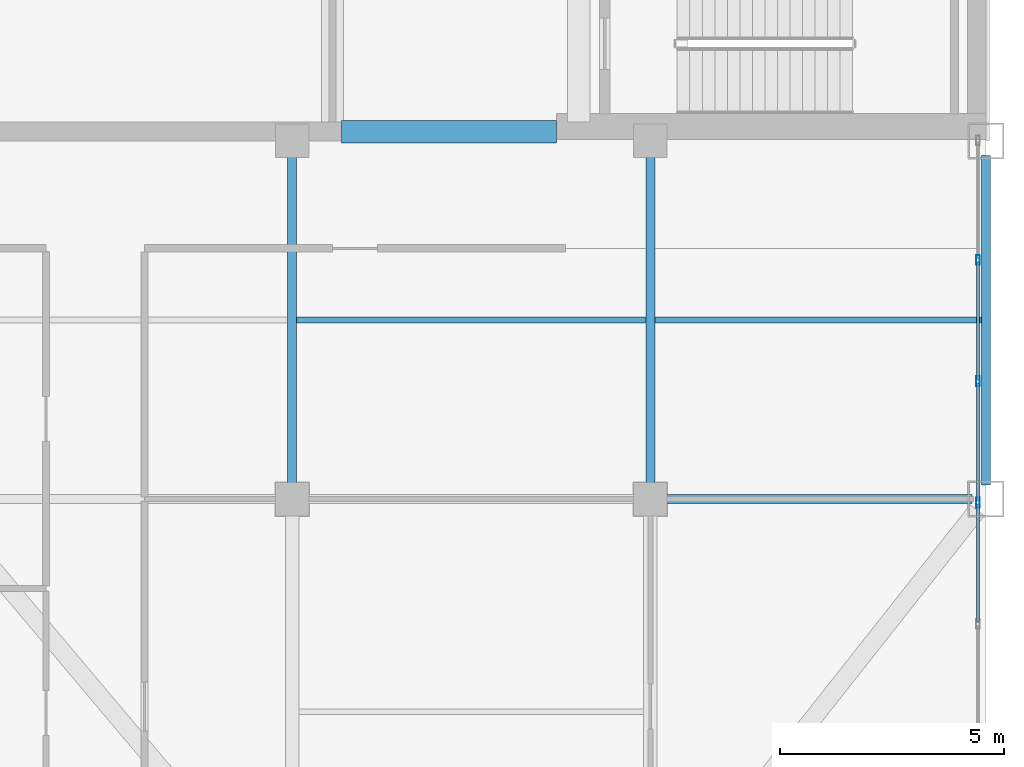
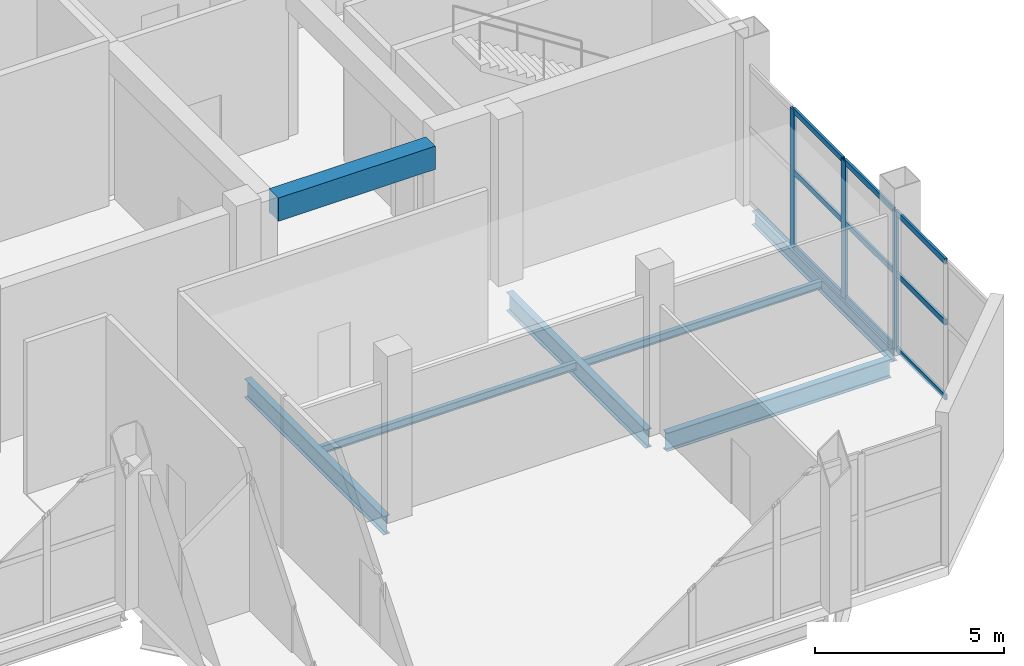
# One storey, part 9 of 16: 12 members, 7 beams, 1 element without a shape of its own.
"""IFC4 building model written with IfcOpenShell, lengths in metres."""

from ifc_helpers import new_model, si_unit, direction, frame, origin, origin_2d, place, context, subcontext, project, spatial, rectangle, hollow_rectangle, i_section, extrude, material, layer, layer_set, material_profile, profile_set, type_object, element, aggregate, save


model = new_model("IFC4")

# Units and contexts
model_context = context("Model", 3, precision=1e-05, world=origin(), true_north=direction((0.0, 1.0)))
body_context = subcontext(model_context, "Body", "Model", "MODEL_VIEW")
ifc_project = project(units=[si_unit("LENGTHUNIT", "METRE"), si_unit("AREAUNIT", "SQUARE_METRE"), si_unit("VOLUMEUNIT", "CUBIC_METRE"), si_unit("PLANEANGLEUNIT", "RADIAN"), si_unit("MASSUNIT", "GRAM", prefix="KILO")], contexts=[model_context])

# Site, building, storey
site_placement = place(None, origin())
site = spatial("IfcSite", under=ifc_project, at=site_placement, CompositionType="ELEMENT")
building_placement = place(site_placement, origin())
building = spatial("IfcBuilding", under=site, at=building_placement, Name="Qianrong Seaharbour Tower", CompositionType="ELEMENT")
storey_placement = place(building_placement, frame((0.0, 0.0, 378.39990234375)))
storey = spatial("IfcBuildingStorey", under=building, at=storey_placement, Name="L91", CompositionType="ELEMENT", Elevation=378.39990234375)

# Beams
ifc_material_1 = material(Name="Structural steel SN490B", Category="steel")
ifc_material_profile_1 = material_profile(ifc_material_1, i_section(OverallWidth=0.199951171875, OverallDepth=0.60009765625, WebThickness=0.010986328125, FlangeThickness=0.01708984375, FilletRadius=0.02197265625, at=origin_2d()), Name="H600x200x11x17")
ifc_profile_set_1 = profile_set([ifc_material_profile_1], Name="Structural steel SN490B")
beam_type_1 = type_object("IfcBeamType", Name="BM-G-600", PredefinedType="BEAM", material=ifc_profile_set_1)
beam_1_placement = place(storey_placement, frame((56.820068359375, 28.0, -0.58984375), z_axis=(1.0, 0.0, 0.0), x_axis=(0.0, 1.0, 0.0)))
element("IfcBeam", 1, at=beam_1_placement, inside=storey, type_object=beam_type_1, Name="L91 Primary Girder GE G8-G9", PredefinedType="BEAM", context=body_context, shape_type="SweptSolid", body=[
    extrude(i_section(OverallWidth=0.199951171875, OverallDepth=0.60009765625, WebThickness=0.010986328125, FlangeThickness=0.01708984375, FilletRadius=0.02197265625, at=origin_2d()), origin(), (0.0, 0.0, 1.0), 6.85986328125),
])
for number, where, z_axis, x_axis, name in (
    (2, (48.5, 28.320068359375, -0.58984375), (0.0, 1.0, 0.0), (-1.0, 0.0, 0.0), "L91 Primary Girder G7 GE-GF"),
    (3, (56.5, 28.320068359375, -0.58984375), (0.0, 1.0, 0.0), (-1.0, 0.0, 0.0), "L91 Primary Girder G8 GE-GF"),
):
    element("IfcBeam", number, at=place(storey_placement, frame(where, z_axis=z_axis, x_axis=x_axis)), inside=storey, type_object=beam_type_1, Name=name, PredefinedType="BEAM", context=body_context, shape_type="SweptSolid", body=[
        extrude(i_section(OverallWidth=0.199951171875, OverallDepth=0.60009765625, WebThickness=0.010986328125, FlangeThickness=0.01708984375, FilletRadius=0.02197265625, at=origin_2d()), origin(), (0.0, 0.0, 1.0), 7.35986328125),
    ])
ifc_material_2 = material(Name="Structural steel SN400B", Category="steel")
ifc_material_profile_2 = material_profile(ifc_material_2, i_section(OverallWidth=0.125, OverallDepth=0.25, WebThickness=0.006103515625, FlangeThickness=0.009033203125, FilletRadius=0.011962890625, at=origin_2d()), Name="H250x125x6x9")
ifc_profile_set_2 = profile_set([ifc_material_profile_2], Name="Structural steel SN400B")
beam_type_2 = type_object("IfcBeamType", Name="BM-J-250", PredefinedType="JOIST", material=ifc_profile_set_2)
beam_2_placement = place(storey_placement, frame((48.60009765625, 32.0, -0.414794921875), z_axis=(1.0, 0.0, 0.0), x_axis=(0.0, 1.0, 0.0)))
element("IfcBeam", 4, at=beam_2_placement, inside=storey, type_object=beam_type_2, Name="L91 Composite Floor Joist G7-G8/GE-GF", PredefinedType="JOIST", context=body_context, shape_type="SweptSolid", body=[
    extrude(i_section(OverallWidth=0.125, OverallDepth=0.25, WebThickness=0.006103515625, FlangeThickness=0.009033203125, FilletRadius=0.011962890625, at=origin_2d()), origin(), (0.0, 0.0, 1.0), 7.7998046875),
])
beam_3_placement = place(storey_placement, frame((56.60009765625, 32.0, -0.414794921875), z_axis=(1.0, 0.0, 0.0), x_axis=(0.0, 1.0, 0.0)))
element("IfcBeam", 5, at=beam_3_placement, inside=storey, type_object=beam_type_2, Name="L91 Composite Floor Joist G8-G9/GE-GF", PredefinedType="JOIST", context=body_context, shape_type="SweptSolid", body=[
    extrude(i_section(OverallWidth=0.125, OverallDepth=0.25, WebThickness=0.006103515625, FlangeThickness=0.009033203125, FilletRadius=0.011962890625, at=origin_2d()), origin(), (0.0, 0.0, 1.0), 7.2998046875),
])
ifc_material_3 = material(Name="Concrete C60/75", Category="concrete")
ifc_material_profile_3 = material_profile(ifc_material_3, rectangle(XDim=0.5, YDim=0.75, at=origin_2d()), Name="RC500x750")
ifc_profile_set_3 = profile_set([ifc_material_profile_3], Name="Concrete C60/75")
beam_type_3 = type_object("IfcBeamType", Name="BM-LINTEL-750", PredefinedType="LINTEL", material=ifc_profile_set_3)
beam_4_placement = place(storey_placement, frame((49.60009765625, 36.2099609375, 4.5751953125), z_axis=(1.0, 0.0, 0.0), x_axis=(0.0, 1.0, 0.0)))
element("IfcBeam", 6, at=beam_4_placement, inside=storey, type_object=beam_type_3, Name="L91 Core Coupling Lintel Beam CBC", PredefinedType="LINTEL", context=body_context, shape_type="SweptSolid", body=[
    extrude(rectangle(XDim=0.5, YDim=0.75, at=origin_2d()), origin(), (0.0, 0.0, 1.0), 4.7998046875),
])
ifc_material_profile_4 = material_profile(ifc_material_2, i_section(OverallWidth=0.199951171875, OverallDepth=0.449951171875, WebThickness=0.009033203125, FlangeThickness=0.013916015625, FilletRadius=0.01806640625, at=origin_2d()), Name="H450x200x9x14")
ifc_profile_set_4 = profile_set([ifc_material_profile_4], Name="Structural steel SN400B")
beam_type_4 = type_object("IfcBeamType", Name="BM-SP-450", PredefinedType="SPANDREL", material=ifc_profile_set_4)
beam_5_placement = place(storey_placement, frame((64.0, 28.320068359375, -0.514892578125), z_axis=(0.0, 1.0, 0.0), x_axis=(-1.0, 0.0, 0.0)))
element("IfcBeam", 7, at=beam_5_placement, inside=storey, type_object=beam_type_4, Name="L91 Spandrel Girder G9 GE-GF", PredefinedType="SPANDREL", context=body_context, shape_type="SweptSolid", body=[
    extrude(i_section(OverallWidth=0.199951171875, OverallDepth=0.449951171875, WebThickness=0.009033203125, FlangeThickness=0.013916015625, FilletRadius=0.01806640625, at=origin_2d()), origin(), (0.0, 0.0, 1.0), 7.35986328125),
])

# Curtain wall, members
ifc_material_4 = material(Name="Anodised aluminium 6063-T6 and laminated low-e glass", Category="aluminium")
ifc_layer = layer(ifc_material_4, 0.239990234375)
ifc_layer_set = layer_set([ifc_layer], Name="Anodised aluminium 6063-T6 and laminated low-e glass")
curtain_wall_type = type_object("IfcCurtainWallType", Name="CW-SYS-6", PredefinedType="NOTDEFINED", material=ifc_layer_set)
curtain_wall_placement = place(storey_placement, origin())
curtain_wall = element("IfcCurtainWall", 8, at=curtain_wall_placement, inside=storey, type_object=curtain_wall_type, Name="L91 TMD Exhibition Lantern Translucent Curtain Wall EAST_WING", PredefinedType="NOTDEFINED")
ifc_material_5 = material(Name="Extruded aluminium 6063-T6", Category="aluminium")
ifc_material_profile_5 = material_profile(ifc_material_5, hollow_rectangle(XDim=0.080078125, YDim=0.219970703125, WallThickness=0.0048828125, at=origin_2d()), Name="ALU-MUL-220x80x5")
ifc_profile_set_5 = profile_set([ifc_material_profile_5], Name="Extruded aluminium 6063-T6")
member_type_1 = type_object("IfcMemberType", Name="CW-MUL-220", PredefinedType="MULLION", material=ifc_profile_set_5)
member_1_placement = place(storey_placement, frame((63.820068359375, 33.340087890625, 0.0), z_axis=(0.0, 0.0, 1.0), x_axis=(1.0, 0.0, 0.0)))
member_1 = element("IfcMember", 9, at=member_1_placement, type_object=member_type_1, Name="CW-6 mullion 2", PredefinedType="MULLION", context=body_context, shape_type="SweptSolid", body=[
    extrude(hollow_rectangle(XDim=0.080078125, YDim=0.219970703125, WallThickness=0.0048828125, at=origin_2d()), origin(), (0.0, 0.0, 1.0), 4.460205078125),
])
member_2_placement = place(storey_placement, frame((63.820068359375, 30.6298828125, 0.0), z_axis=(0.0, 0.0, 1.0), x_axis=(1.0, 0.0, 0.0)))
member_2 = element("IfcMember", 10, at=member_2_placement, type_object=member_type_1, Name="CW-6 mullion 3", PredefinedType="MULLION", context=body_context, shape_type="SweptSolid", body=[
    extrude(hollow_rectangle(XDim=0.080078125, YDim=0.219970703125, WallThickness=0.0048828125, at=origin_2d()), origin(), (0.0, 0.0, 1.0), 4.460205078125),
])
member_3_placement = place(storey_placement, frame((63.820068359375, 27.919921875, 0.0), z_axis=(0.0, 0.0, 1.0), x_axis=(1.0, 0.0, 0.0)))
member_3 = element("IfcMember", 11, at=member_3_placement, type_object=member_type_1, Name="CW-6 mullion 4", PredefinedType="MULLION", context=body_context, shape_type="SweptSolid", body=[
    extrude(hollow_rectangle(XDim=0.080078125, YDim=0.219970703125, WallThickness=0.0048828125, at=origin_2d()), origin(), (0.0, 0.0, 1.0), 4.460205078125),
])
ifc_material_profile_6 = material_profile(ifc_material_5, hollow_rectangle(XDim=0.070068359375, YDim=0.179931640625, WallThickness=0.00390625, at=origin_2d()), Name="ALU-TRN-180x70x4")
ifc_profile_set_6 = profile_set([ifc_material_profile_6], Name="Extruded aluminium 6063-T6")
member_type_2 = type_object("IfcMemberType", Name="CW-TRN-180", PredefinedType="USERDEFINED", material=ifc_profile_set_6)
member_4_placement = place(storey_placement, frame((63.820068359375, 33.300048828125, 0.03515625), z_axis=(0.0, -1.0, 0.0), x_axis=(1.0, 0.0, 0.0)))
member_4 = element("IfcMember", 12, at=member_4_placement, type_object=member_type_2, Name="CW-6 transom 2.1", ObjectType="TRANSOM", PredefinedType="USERDEFINED", context=body_context, shape_type="SweptSolid", body=[
    extrude(hollow_rectangle(XDim=0.070068359375, YDim=0.179931640625, WallThickness=0.00390625, at=origin_2d()), origin(), (0.0, 0.0, 1.0), 2.630126953125),
])
member_5_placement = place(storey_placement, frame((63.820068359375, 33.300048828125, 2.453125), z_axis=(0.0, -1.0, 0.0), x_axis=(1.0, 0.0, 0.0)))
member_5 = element("IfcMember", 13, at=member_5_placement, type_object=member_type_2, Name="CW-6 transom 2.2", ObjectType="TRANSOM", PredefinedType="USERDEFINED", context=body_context, shape_type="SweptSolid", body=[
    extrude(hollow_rectangle(XDim=0.070068359375, YDim=0.179931640625, WallThickness=0.00390625, at=origin_2d()), origin(), (0.0, 0.0, 1.0), 2.630126953125),
])
member_6_placement = place(storey_placement, frame((63.820068359375, 33.300048828125, 4.425048828125), z_axis=(0.0, -1.0, 0.0), x_axis=(1.0, 0.0, 0.0)))
member_6 = element("IfcMember", 14, at=member_6_placement, type_object=member_type_2, Name="CW-6 transom 2.3", ObjectType="TRANSOM", PredefinedType="USERDEFINED", context=body_context, shape_type="SweptSolid", body=[
    extrude(hollow_rectangle(XDim=0.070068359375, YDim=0.179931640625, WallThickness=0.00390625, at=origin_2d()), origin(), (0.0, 0.0, 1.0), 2.630126953125),
])
member_7_placement = place(storey_placement, frame((63.820068359375, 30.590087890625, 0.03515625), z_axis=(0.0, -1.0, 0.0), x_axis=(1.0, 0.0, 0.0)))
member_7 = element("IfcMember", 15, at=member_7_placement, type_object=member_type_2, Name="CW-6 transom 3.1", ObjectType="TRANSOM", PredefinedType="USERDEFINED", context=body_context, shape_type="SweptSolid", body=[
    extrude(hollow_rectangle(XDim=0.070068359375, YDim=0.179931640625, WallThickness=0.00390625, at=origin_2d()), origin(), (0.0, 0.0, 1.0), 2.630126953125),
])
member_8_placement = place(storey_placement, frame((63.820068359375, 30.590087890625, 2.453125), z_axis=(0.0, -1.0, 0.0), x_axis=(1.0, 0.0, 0.0)))
member_8 = element("IfcMember", 16, at=member_8_placement, type_object=member_type_2, Name="CW-6 transom 3.2", ObjectType="TRANSOM", PredefinedType="USERDEFINED", context=body_context, shape_type="SweptSolid", body=[
    extrude(hollow_rectangle(XDim=0.070068359375, YDim=0.179931640625, WallThickness=0.00390625, at=origin_2d()), origin(), (0.0, 0.0, 1.0), 2.630126953125),
])
member_9_placement = place(storey_placement, frame((63.820068359375, 30.590087890625, 4.425048828125), z_axis=(0.0, -1.0, 0.0), x_axis=(1.0, 0.0, 0.0)))
member_9 = element("IfcMember", 17, at=member_9_placement, type_object=member_type_2, Name="CW-6 transom 3.3", ObjectType="TRANSOM", PredefinedType="USERDEFINED", context=body_context, shape_type="SweptSolid", body=[
    extrude(hollow_rectangle(XDim=0.070068359375, YDim=0.179931640625, WallThickness=0.00390625, at=origin_2d()), origin(), (0.0, 0.0, 1.0), 2.630126953125),
])
member_10_placement = place(storey_placement, frame((63.820068359375, 27.8798828125, 0.03515625), z_axis=(0.0, -1.0, 0.0), x_axis=(1.0, 0.0, 0.0)))
member_10 = element("IfcMember", 18, at=member_10_placement, type_object=member_type_2, Name="CW-6 transom 4.1", ObjectType="TRANSOM", PredefinedType="USERDEFINED", context=body_context, shape_type="SweptSolid", body=[
    extrude(hollow_rectangle(XDim=0.070068359375, YDim=0.179931640625, WallThickness=0.00390625, at=origin_2d()), origin(), (0.0, 0.0, 1.0), 2.6298828125),
])
member_11_placement = place(storey_placement, frame((63.820068359375, 27.8798828125, 2.453125), z_axis=(0.0, -1.0, 0.0), x_axis=(1.0, 0.0, 0.0)))
member_11 = element("IfcMember", 19, at=member_11_placement, type_object=member_type_2, Name="CW-6 transom 4.2", ObjectType="TRANSOM", PredefinedType="USERDEFINED", context=body_context, shape_type="SweptSolid", body=[
    extrude(hollow_rectangle(XDim=0.070068359375, YDim=0.179931640625, WallThickness=0.00390625, at=origin_2d()), origin(), (0.0, 0.0, 1.0), 2.6298828125),
])
member_12_placement = place(storey_placement, frame((63.820068359375, 27.8798828125, 4.425048828125), z_axis=(0.0, -1.0, 0.0), x_axis=(1.0, 0.0, 0.0)))
member_12 = element("IfcMember", 20, at=member_12_placement, type_object=member_type_2, Name="CW-6 transom 4.3", ObjectType="TRANSOM", PredefinedType="USERDEFINED", context=body_context, shape_type="SweptSolid", body=[
    extrude(hollow_rectangle(XDim=0.070068359375, YDim=0.179931640625, WallThickness=0.00390625, at=origin_2d()), origin(), (0.0, 0.0, 1.0), 2.6298828125),
])
aggregate(curtain_wall, [member_1, member_2, member_3, member_4, member_5, member_6, member_7, member_8, member_9, member_10, member_11, member_12])

save(model, "model.ifc")
